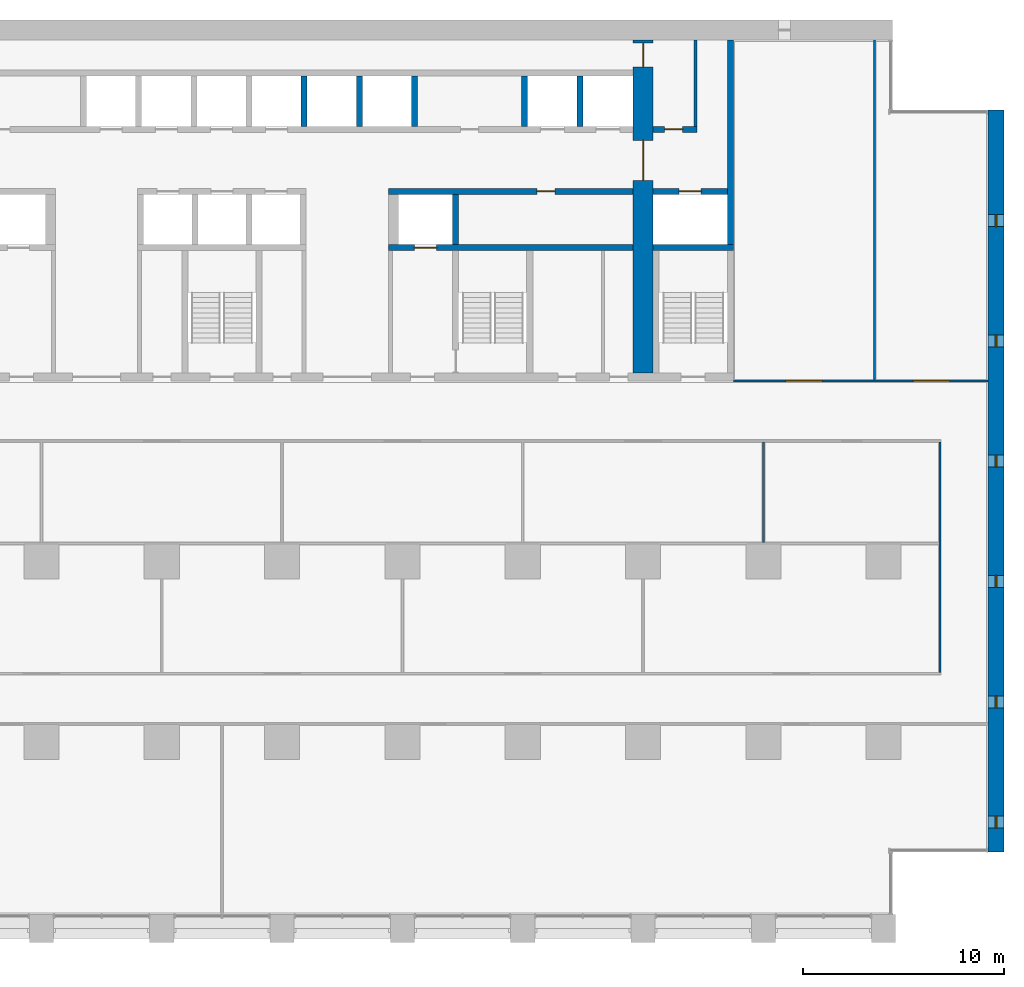
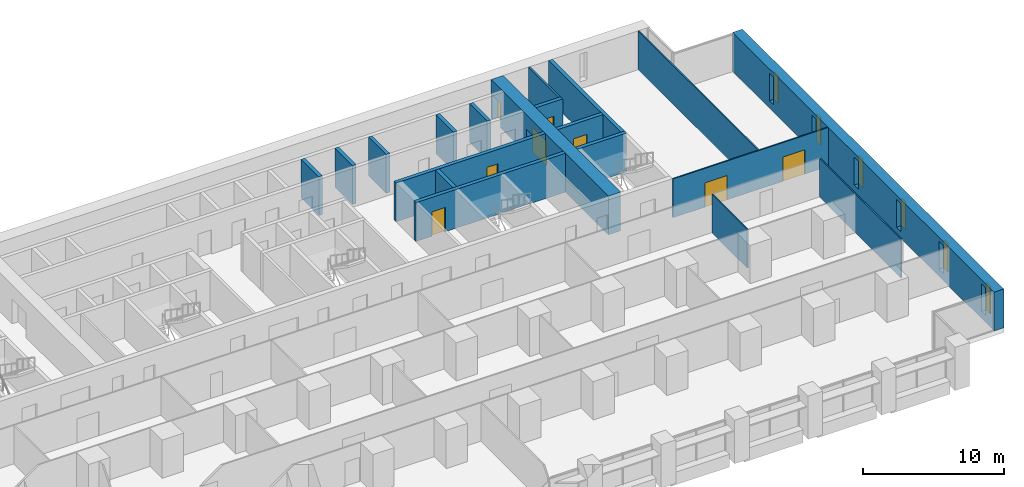
# One storey, part 13 of 18: 19 walls, 8 doors, 6 windows, 14 openings.
"""IFC4 building model written with IfcOpenShell, lengths in metres."""

import ifcopenshell
import ifcopenshell.guid

model = None  # the IFC model being written
_history = None  # IfcOwnerHistory: only IFC2X3 demands one
_inside = {}  # id of a spatial element -> (the spatial element, [elements in it])
_under = {}  # id of a project, library or spatial element -> (it, [spatial elements below it])
_declared = {}  # id of a project -> (the project, [libraries it declares])
_typed = {}  # id of a type object -> (the type object, [elements of that type])
_made_of = {}  # id of a material, layer set ... -> (it, [elements and type objects made of it])


def new_model(schema):
    """Start an empty IFC model of exactly this schema.

    Asked for "IFC4X3", IfcOpenShell would pick the latest addendum, in which some entities
    have other attributes; the version numbers below select the first issue.
    IFC2X3 requires an IfcOwnerHistory on every rooted entity: one is made here for all.
    """
    global model, _history
    if schema == "IFC4X3":
        model = ifcopenshell.file(schema_version=(4, 3, 0, 0))
    else:
        model = ifcopenshell.file(schema=schema)
    _inside.clear()
    _under.clear()
    _declared.clear()
    _typed.clear()
    _made_of.clear()
    _history = None
    if model.schema == "IFC2X3":
        org = make("IfcOrganization", Name="unknown")
        user = make(
            "IfcPersonAndOrganization",
            ThePerson=make("IfcPerson", FamilyName="unknown"),
            TheOrganization=org,
        )
        app = make(
            "IfcApplication",
            ApplicationDeveloper=org,
            Version="unknown",
            ApplicationFullName="unknown",
            ApplicationIdentifier="unknown",
        )
        _history = make(
            "IfcOwnerHistory",
            OwningUser=user,
            OwningApplication=app,
            ChangeAction="ADDED",
            CreationDate=0,
        )
    return model


def make(cls, **values):
    """One entity of the class cls with the attributes given. An attribute that is None is left unset."""
    return model.create_entity(
        cls, **{name: value for name, value in values.items() if value is not None}
    )


def rooted(cls, **values):
    """An entity with a GlobalId (a new one), such as an element, a storey or a relation."""
    return make(cls, GlobalId=ifcopenshell.guid.new(), OwnerHistory=_history, **values)


def si_unit(unit_type, name, prefix=None):
    """IfcSIUnit, for example si_unit("LENGTHUNIT", "METRE", prefix="MILLI")."""
    return make("IfcSIUnit", UnitType=unit_type, Prefix=prefix, Name=name)


def assignment(units):
    """IfcUnitAssignment: the units of a project."""
    return None if units is None else make("IfcUnitAssignment", Units=units)


def point(xyz):
    """IfcCartesianPoint."""
    return None if xyz is None else make("IfcCartesianPoint", Coordinates=xyz)


def direction(xyz):
    """IfcDirection."""
    return None if xyz is None else make("IfcDirection", DirectionRatios=xyz)


def frame(location, z_axis=None, x_axis=None):
    """IfcAxis2Placement3D, a coordinate frame: its origin and axes. An axis left out is left unset."""
    return make(
        "IfcAxis2Placement3D",
        Location=point(location),
        Axis=direction(z_axis),
        RefDirection=direction(x_axis),
    )


def frame_2d(location, x_axis=None):
    """IfcAxis2Placement2D, a coordinate frame in the plane: its origin and x axis."""
    return make(
        "IfcAxis2Placement2D", Location=point(location), RefDirection=direction(x_axis)
    )


def origin():
    """The frame at (0, 0, 0) with its axes left unset."""
    return frame((0.0, 0.0, 0.0))


def place(relative_to, where):
    """IfcLocalPlacement: puts the frame where relative to a parent placement (None: the world)."""
    return make(
        "IfcLocalPlacement", PlacementRelTo=relative_to, RelativePlacement=where
    )


def context(
    kind, dimensions, precision=None, world=None, true_north=None, identifier=None
):
    """IfcGeometricRepresentationContext, for example the 3D "Model" context."""
    return make(
        "IfcGeometricRepresentationContext",
        ContextIdentifier=identifier,
        ContextType=kind,
        CoordinateSpaceDimension=dimensions,
        Precision=precision,
        WorldCoordinateSystem=world,
        TrueNorth=true_north,
    )


def subcontext(parent, identifier, kind, view, scale=None):
    """IfcGeometricRepresentationSubContext, for example "Body" below "Model"."""
    return make(
        "IfcGeometricRepresentationSubContext",
        ContextIdentifier=identifier,
        ContextType=kind,
        ParentContext=parent,
        TargetScale=scale,
        TargetView=view,
    )


def project(units=None, contexts=None):
    """IfcProject with its units and contexts."""
    return rooted(
        "IfcProject",
        Name="project",
        RepresentationContexts=contexts,
        UnitsInContext=assignment(units),
    )


def spatial(cls, under=None, at=None, **own):
    """A site, building, storey or space (cls), placed at a placement, below another one or the project."""
    s = rooted(cls, ObjectPlacement=at, **own)
    if under is not None:
        _under.setdefault(under.id(), (under, []))[1].append(s)
    return s


def profile(cls, at=None, kind="AREA", **sizes):
    """A parametric profile (cls). Its sizes go by their IFC names, for example OverallWidth=200.0."""
    return make(cls, ProfileType=kind, Position=at, **sizes)


def rectangle(**sizes):
    """IfcRectangleProfileDef."""
    return profile("IfcRectangleProfileDef", **sizes)


def extrude(swept, where, along, depth):
    """IfcExtrudedAreaSolid: the profile swept, set in the frame where, extruded along a direction by depth."""
    return make(
        "IfcExtrudedAreaSolid",
        SweptArea=swept,
        Position=where,
        ExtrudedDirection=direction(along),
        Depth=depth,
    )


def shape(context_of_items, identifier, shape_type, items):
    """IfcShapeRepresentation: the items that make up one representation, for example the "Body"."""
    return make(
        "IfcShapeRepresentation",
        ContextOfItems=context_of_items,
        RepresentationIdentifier=identifier,
        RepresentationType=shape_type,
        Items=items,
    )


def material(Name=None, Category=None):
    """IfcMaterial."""
    return make("IfcMaterial", Name=Name, Category=Category)


def layer(
    of_material, thickness, ventilated=None, Name=None, Category=None, Priority=None
):
    """IfcMaterialLayer: one layer of a wall or slab, of a material (None: an air gap)."""
    return make(
        "IfcMaterialLayer",
        Material=of_material,
        LayerThickness=thickness,
        IsVentilated=ventilated,
        Name=Name,
        Category=Category,
        Priority=Priority,
    )


def layer_set(layers, Name=None):
    """IfcMaterialLayerSet."""
    return make("IfcMaterialLayerSet", MaterialLayers=layers, LayerSetName=Name)


def made_of(thing, what):
    """Note that an element or type object is made of a material, layer set ...; save() writes the relation."""
    if what is not None:
        _made_of.setdefault(what.id(), (what, []))[1].append(thing)
    return thing


def type_object(cls, material=None, **own):
    """A type object (cls), such as IfcWallType, which elements share."""
    return made_of(rooted(cls, **own), material)


def element(
    cls,
    number,
    at=None,
    inside=None,
    cuts=None,
    type_object=None,
    material=None,
    context=None,
    identifier="Body",
    shape_type=None,
    held_by="IfcProductDefinitionShape",
    body=None,
    shapes=None,
    **own,
):
    """One element of the class cls, such as IfcWall. Its Tag is "e" and its number.

    at: its placement. inside: the storey or other place that contains it. cuts: it is an
    opening in that element (IfcRelVoidsElement). A single representation is given by context,
    identifier, shape_type and body (its items); several are given by shapes. held_by: the class
    of the entity that holds the representations. save() writes the other relations.
    """
    e = rooted(cls, Tag="e%d" % number, ObjectPlacement=at, **own)
    if body is not None:
        shapes = [shape(context, identifier, shape_type, body)]
    if shapes is not None:
        e.Representation = make(held_by, Representations=shapes)
    if inside is not None:
        _inside.setdefault(inside.id(), (inside, []))[1].append(e)
    if cuts is not None:
        rooted(
            "IfcRelVoidsElement", RelatingBuildingElement=cuts, RelatedOpeningElement=e
        )
    if type_object is not None:
        _typed.setdefault(type_object.id(), (type_object, []))[1].append(e)
    return made_of(e, material)


def fill(opening, filler):
    """IfcRelFillsElement: the door or window that sits in an opening."""
    return rooted(
        "IfcRelFillsElement",
        RelatingOpeningElement=opening,
        RelatedBuildingElement=filler,
    )


def aggregate(whole, parts):
    """IfcRelAggregates: a whole, such as a stair, and the parts it consists of."""
    return rooted("IfcRelAggregates", RelatingObject=whole, RelatedObjects=parts)


def save(model, path):
    """Write the relations noted so far, then the file.

    IfcRelAggregates (storeys below a building ...), IfcRelContainedInSpatialStructure (elements
    in a storey), IfcRelDefinesByType, IfcRelAssociatesMaterial and IfcRelDeclares: one each for
    every whole, place, type object, material and project.
    """
    for whole, parts in _under.values():
        aggregate(whole, parts)
    for where, things in _inside.values():
        rooted(
            "IfcRelContainedInSpatialStructure",
            RelatedElements=things,
            RelatingStructure=where,
        )
    for kind, things in _typed.values():
        rooted("IfcRelDefinesByType", RelatedObjects=things, RelatingType=kind)
    for what, things in _made_of.values():
        rooted("IfcRelAssociatesMaterial", RelatedObjects=things, RelatingMaterial=what)
    for by, libraries in _declared.values():
        rooted("IfcRelDeclares", RelatingContext=by, RelatedDefinitions=libraries)
    model.write(path)


model = new_model("IFC4")

# Units and contexts
model_context = context("Model", 3, precision=1e-05, world=origin(), true_north=direction((0.0, 1.0)))
body_context = subcontext(model_context, "Body", "Model", "MODEL_VIEW")
ifc_project = project(units=[si_unit("LENGTHUNIT", "METRE"), si_unit("AREAUNIT", "SQUARE_METRE"), si_unit("VOLUMEUNIT", "CUBIC_METRE"), si_unit("PLANEANGLEUNIT", "RADIAN"), si_unit("MASSUNIT", "GRAM", prefix="KILO")], contexts=[model_context])

# Site, building, storey
site_placement = place(None, origin())
site = spatial("IfcSite", under=ifc_project, at=site_placement, CompositionType="ELEMENT")
building_placement = place(site_placement, origin())
building = spatial("IfcBuilding", under=site, at=building_placement, Name="Calvaro Tower", CompositionType="ELEMENT")
storey_placement = place(building_placement, frame((0.0, 0.0, 37.5)))
storey = spatial("IfcBuildingStorey", under=building, at=storey_placement, Name="L08", CompositionType="ELEMENT", Elevation=37.5)

# Wall
ifc_material_1 = material(Name="Blockwork partition", Category="masonry")
ifc_layer_1 = layer(ifc_material_1, 0.14990234375)
ifc_layer_set_1 = layer_set([ifc_layer_1], Name="Blockwork partition")
wall_type_1 = type_object("IfcWallType", Name="Core partition 150 REI 120", PredefinedType="PARTITIONING", material=ifc_layer_set_1)
wall_1_placement = place(storey_placement, frame((62.625, 40.699951171875, 0.0), z_axis=(0.0, 0.0, 1.0), x_axis=(0.0, 1.0, 0.0)))
element("IfcWall", 1, at=wall_1_placement, inside=storey, type_object=wall_type_1, Name="Core partition", PredefinedType="PARTITIONING", context=body_context, shape_type="SweptSolid", body=[
    extrude(rectangle(XDim=4.300048828125, YDim=0.14990234375, at=frame_2d((2.14990234375, 0.0))), origin(), (0.0, 0.0, 1.0), 3.35009765625),
])

# Wall, opening, door
ifc_material_2 = material(Name="Blockwork partition", Category="masonry")
ifc_layer_2 = layer(ifc_material_2, 0.300048828125)
ifc_layer_set_2 = layer_set([ifc_layer_2], Name="Blockwork partition")
wall_type_2 = type_object("IfcWallType", Name="Core partition 300 REI 120", PredefinedType="PARTITIONING", material=ifc_layer_set_2)
wall_2_placement = place(storey_placement, frame((60.5, 40.550048828125, 0.0), z_axis=(0.0, 0.0, 1.0), x_axis=(1.0, 0.0, 0.0)))
wall_2 = element("IfcWall", 2, at=wall_2_placement, inside=storey, type_object=wall_type_2, Name="Core partition", PredefinedType="PARTITIONING", context=body_context, shape_type="SweptSolid", body=[
    extrude(rectangle(XDim=2.199951171875, YDim=0.300048828125, at=frame_2d((1.10009765625, 0.0))), origin(), (0.0, 0.0, 1.0), 3.35009765625),
])
opening_1_placement = place(wall_2_placement, frame((0.574951171875, 0.0, 0.0)))
opening_1 = element("IfcOpeningElement", 3, at=opening_1_placement, cuts=wall_2, Name="Opening RD9E", PredefinedType="OPENING", context=body_context, shape_type="SweptSolid", body=[
    extrude(rectangle(XDim=0.89990234375, YDim=2.10009765625, at=frame_2d((0.449951171875, 1.050048828125))), frame((0.0, 0.159912109375, 0.0), z_axis=(0.0, -1.0, 0.0), x_axis=(1.0, 0.0, 0.0)), (0.0, 0.0, 1.0), 0.320068359375),
])
ifc_material_3 = material(Name="Steel door set", Category="steel")
door_type_1 = type_object("IfcDoorType", Name="Room door 900 FD60", OperationType="SINGLE_SWING_LEFT", PredefinedType="DOOR", material=ifc_material_3)
door_1_placement = place(opening_1_placement, origin())
door_1 = element("IfcDoor", 4, at=door_1_placement, inside=storey, type_object=door_type_1, Name="Room door", OperationType="SINGLE_SWING_LEFT", OverallHeight=2.10009765625, OverallWidth=0.89990234375, PredefinedType="DOOR", context=body_context, shape_type="SweptSolid", body=[
    extrude(rectangle(XDim=0.89990234375, YDim=2.10009765625, at=frame_2d((0.449951171875, 1.050048828125))), frame((0.0, 0.02490234375, 0.0), z_axis=(0.0, -1.0, 0.0), x_axis=(1.0, 0.0, 0.0)), (0.0, 0.0, 1.0), 0.050048828125),
])
fill(opening_1, door_1)

# Wall, openings, doors
ifc_material_4 = material(Name="Concrete C80/95", Category="concrete")
ifc_layer_3 = layer(ifc_material_4, 1.0)
ifc_layer_set_3 = layer_set([ifc_layer_3], Name="Concrete C80/95")
wall_type_3 = type_object("IfcWallType", Name="Core wall C80/95 1000", PredefinedType="SHEAR", material=ifc_layer_set_3)
wall_3_placement = place(storey_placement, frame((60.0, 28.39990234375, 0.0), z_axis=(0.0, 0.0, 1.0), x_axis=(0.0, 1.0, 0.0)))
wall_3 = element("IfcWall", 5, at=wall_3_placement, inside=storey, type_object=wall_type_3, Name="Core wall, cross shear wall", PredefinedType="SHEAR", context=body_context, shape_type="SweptSolid", body=[
    extrude(rectangle(XDim=16.60009765625, YDim=1.0, at=frame_2d((8.300048828125, 0.0))), origin(), (0.0, 0.0, 1.0), 3.35009765625),
])
opening_2_placement = place(wall_3_placement, frame((9.60009765625, 0.0, 0.0)))
opening_2 = element("IfcOpeningElement", 6, at=opening_2_placement, cuts=wall_3, Name="Opening DD20D", PredefinedType="OPENING", context=body_context, shape_type="SweptSolid", body=[
    extrude(rectangle(XDim=2.0, YDim=2.10009765625, at=frame_2d((1.0, 1.050048828125))), frame((0.0, 0.510009765625, 0.0), z_axis=(0.0, -1.0, 0.0), x_axis=(1.0, 0.0, 0.0)), (0.0, 0.0, 1.0), 1.02001953125),
])
opening_3_placement = place(wall_3_placement, frame((15.25, 0.0, 0.0)))
opening_3 = element("IfcOpeningElement", 7, at=opening_3_placement, cuts=wall_3, Name="Opening FD12C", PredefinedType="OPENING", context=body_context, shape_type="SweptSolid", body=[
    extrude(rectangle(XDim=1.199951171875, YDim=2.10009765625, at=frame_2d((0.60009765625, 1.050048828125))), frame((0.0, 0.510009765625, 0.0), z_axis=(0.0, -1.0, 0.0), x_axis=(1.0, 0.0, 0.0)), (0.0, 0.0, 1.0), 1.02001953125),
])
ifc_material_5 = material(Name="Steel door set", Category="steel")
door_type_2 = type_object("IfcDoorType", Name="Fire door 1200 FD30", OperationType="SINGLE_SWING_LEFT", PredefinedType="DOOR", material=ifc_material_5)
door_2_placement = place(opening_3_placement, origin())
door_2 = element("IfcDoor", 8, at=door_2_placement, inside=storey, type_object=door_type_2, Name="Fire door", OperationType="SINGLE_SWING_LEFT", OverallHeight=2.10009765625, OverallWidth=1.199951171875, PredefinedType="DOOR", context=body_context, shape_type="SweptSolid", body=[
    extrude(rectangle(XDim=1.199951171875, YDim=2.10009765625, at=frame_2d((0.60009765625, 1.050048828125))), frame((0.0, 0.02490234375, 0.0), z_axis=(0.0, -1.0, 0.0), x_axis=(1.0, 0.0, 0.0)), (0.0, 0.0, 1.0), 0.050048828125),
])
fill(opening_3, door_2)
ifc_material_6 = material(Name="Steel door set", Category="steel")
door_type_3 = type_object("IfcDoorType", Name="Lobby double door 2000 FD30S", OperationType="DOUBLE_DOOR_SINGLE_SWING", PredefinedType="DOOR", material=ifc_material_6)
door_3_placement = place(opening_2_placement, origin())
door_3 = element("IfcDoor", 9, at=door_3_placement, inside=storey, type_object=door_type_3, Name="Lobby double door", OperationType="DOUBLE_DOOR_SINGLE_SWING", OverallHeight=2.10009765625, OverallWidth=2.0, PredefinedType="DOOR", context=body_context, shape_type="SweptSolid", body=[
    extrude(rectangle(XDim=2.0, YDim=2.10009765625, at=frame_2d((1.0, 1.050048828125))), frame((0.0, 0.02490234375, 0.0), z_axis=(0.0, -1.0, 0.0), x_axis=(1.0, 0.0, 0.0)), (0.0, 0.0, 1.0), 0.050048828125),
])
fill(opening_2, door_3)

# Wall
ifc_material_7 = material(Name="Concrete C80/95", Category="concrete")
ifc_layer_4 = layer(ifc_material_7, 0.300048828125)
ifc_layer_set_4 = layer_set([ifc_layer_4], Name="Concrete C80/95")
wall_type_4 = type_object("IfcWallType", Name="Core wall C80/95 300", PredefinedType="SHEAR", material=ifc_layer_set_4)
wall_4_placement = place(storey_placement, frame((64.35009765625, 34.800048828125, 0.0), z_axis=(0.0, 0.0, 1.0), x_axis=(0.0, 1.0, 0.0)))
element("IfcWall", 10, at=wall_4_placement, inside=storey, type_object=wall_type_4, Name="Core wall, boundary", PredefinedType="SHEAR", context=body_context, shape_type="SweptSolid", body=[
    extrude(rectangle(XDim=10.199951171875, YDim=0.300048828125, at=frame_2d((5.10009765625, 0.0))), origin(), (0.0, 0.0, 1.0), 3.35009765625),
])

# Wall, opening, door
wall_5_placement = place(storey_placement, frame((47.300048828125, 34.64990234375, 0.0), z_axis=(0.0, 0.0, 1.0), x_axis=(1.0, 0.0, 0.0)))
wall_5 = element("IfcWall", 11, at=wall_5_placement, inside=storey, type_object=wall_type_4, Name="Core wall, lift shaft", PredefinedType="SHEAR", context=body_context, shape_type="SweptSolid", body=[
    extrude(rectangle(XDim=12.199951171875, YDim=0.300048828125, at=frame_2d((6.10009765625, 0.0))), origin(), (0.0, 0.0, 1.0), 3.35009765625),
])
opening_4_placement = place(wall_5_placement, frame((1.300048828125, 0.0, 0.0)))
opening_4 = element("IfcOpeningElement", 12, at=opening_4_placement, cuts=wall_5, Name="Opening FF2", PredefinedType="OPENING", context=body_context, shape_type="SweptSolid", body=[
    extrude(rectangle(XDim=1.10009765625, YDim=2.10009765625, at=frame_2d((0.550048828125, 1.050048828125))), frame((0.0, 0.159912109375, 0.0), z_axis=(0.0, -1.0, 0.0), x_axis=(1.0, 0.0, 0.0)), (0.0, 0.0, 1.0), 0.320068359375),
])
ifc_material_8 = material(Name="Stainless steel", Category="steel")
door_type_4 = type_object("IfcDoorType", Name="Landing door 1100 E 60", OperationType="SLIDING_TO_LEFT", PredefinedType="DOOR", material=ifc_material_8)
door_4_placement = place(opening_4_placement, origin())
door_4 = element("IfcDoor", 13, at=door_4_placement, inside=storey, type_object=door_type_4, Name="Landing door FF2", OperationType="SLIDING_TO_LEFT", OverallHeight=2.10009765625, OverallWidth=1.10009765625, PredefinedType="DOOR", context=body_context, shape_type="SweptSolid", body=[
    extrude(rectangle(XDim=1.10009765625, YDim=2.10009765625, at=frame_2d((0.550048828125, 1.050048828125))), frame((0.0, 0.02490234375, 0.0), z_axis=(0.0, -1.0, 0.0), x_axis=(1.0, 0.0, 0.0)), (0.0, 0.0, 1.0), 0.050048828125),
])
fill(opening_4, door_4)

# Wall
wall_6_placement = place(storey_placement, frame((60.5, 34.64990234375, 0.0), z_axis=(0.0, 0.0, 1.0), x_axis=(1.0, 0.0, 0.0)))
element("IfcWall", 14, at=wall_6_placement, inside=storey, type_object=wall_type_4, Name="Core wall, lift shaft", PredefinedType="SHEAR", context=body_context, shape_type="SweptSolid", body=[
    extrude(rectangle(XDim=4.0, YDim=0.300048828125, at=frame_2d((2.0, 0.0))), origin(), (0.0, 0.0, 1.0), 3.35009765625),
])

# Wall, opening, door
wall_7_placement = place(storey_placement, frame((59.5, 37.449951171875, 0.0), z_axis=(0.0, 0.0, 1.0), x_axis=(-1.0, 0.0, 0.0)))
wall_7 = element("IfcWall", 15, at=wall_7_placement, inside=storey, type_object=wall_type_4, Name="Core wall, bay", PredefinedType="SHEAR", context=body_context, shape_type="SweptSolid", body=[
    extrude(rectangle(XDim=12.199951171875, YDim=0.300048828125, at=frame_2d((6.10009765625, 0.0))), origin(), (0.0, 0.0, 1.0), 3.35009765625),
])
opening_5_placement = place(wall_7_placement, frame((3.89990234375, 0.0, 0.0)))
opening_5 = element("IfcOpeningElement", 16, at=opening_5_placement, cuts=wall_7, Name="Opening RD9C", PredefinedType="OPENING", context=body_context, shape_type="SweptSolid", body=[
    extrude(rectangle(XDim=0.89990234375, YDim=2.10009765625, at=frame_2d((0.449951171875, 1.050048828125))), frame((0.0, 0.159912109375, 0.0), z_axis=(0.0, -1.0, 0.0), x_axis=(1.0, 0.0, 0.0)), (0.0, 0.0, 1.0), 0.320068359375),
])
ifc_material_9 = material(Name="Steel door set", Category="steel")
door_type_5 = type_object("IfcDoorType", Name="Room door 900 FD30", OperationType="SINGLE_SWING_LEFT", PredefinedType="DOOR", material=ifc_material_9)
door_5_placement = place(opening_5_placement, origin())
door_5 = element("IfcDoor", 17, at=door_5_placement, inside=storey, type_object=door_type_5, Name="Room door", OperationType="SINGLE_SWING_RIGHT", OverallHeight=2.10009765625, OverallWidth=0.89990234375, PredefinedType="DOOR", context=body_context, shape_type="SweptSolid", body=[
    extrude(rectangle(XDim=0.89990234375, YDim=2.10009765625, at=frame_2d((0.449951171875, 1.050048828125))), frame((0.0, 0.02490234375, 0.0), z_axis=(0.0, -1.0, 0.0), x_axis=(1.0, 0.0, 0.0)), (0.0, 0.0, 1.0), 0.050048828125),
])
fill(opening_5, door_5)

wall_8_placement = place(storey_placement, frame((60.5, 37.449951171875, 0.0), z_axis=(0.0, 0.0, 1.0), x_axis=(1.0, 0.0, 0.0)))
wall_8 = element("IfcWall", 18, at=wall_8_placement, inside=storey, type_object=wall_type_4, Name="Core wall, lift shaft", PredefinedType="SHEAR", context=body_context, shape_type="SweptSolid", body=[
    extrude(rectangle(XDim=3.699951171875, YDim=0.300048828125, at=frame_2d((1.85009765625, 0.0))), origin(), (0.0, 0.0, 1.0), 3.35009765625),
])
opening_6_placement = place(wall_8_placement, frame((1.300048828125, 0.0, 0.0)))
opening_6 = element("IfcOpeningElement", 19, at=opening_6_placement, cuts=wall_8, Name="Opening FF3", PredefinedType="OPENING", context=body_context, shape_type="SweptSolid", body=[
    extrude(rectangle(XDim=1.10009765625, YDim=2.10009765625, at=frame_2d((0.550048828125, 1.050048828125))), frame((0.0, 0.159912109375, 0.0), z_axis=(0.0, -1.0, 0.0), x_axis=(1.0, 0.0, 0.0)), (0.0, 0.0, 1.0), 0.320068359375),
])
door_6_placement = place(opening_6_placement, origin())
door_6 = element("IfcDoor", 20, at=door_6_placement, inside=storey, type_object=door_type_4, Name="Landing door FF3", OperationType="SLIDING_TO_LEFT", OverallHeight=2.10009765625, OverallWidth=1.10009765625, PredefinedType="DOOR", context=body_context, shape_type="SweptSolid", body=[
    extrude(rectangle(XDim=1.10009765625, YDim=2.10009765625, at=frame_2d((0.550048828125, 1.050048828125))), frame((0.0, 0.02490234375, 0.0), z_axis=(0.0, -1.0, 0.0), x_axis=(1.0, 0.0, 0.0)), (0.0, 0.0, 1.0), 0.050048828125),
])
fill(opening_6, door_6)

# Walls
for number, where, z_axis, x_axis, name in (
    (21, (50.64990234375, 34.800048828125, 0.0), (0.0, 0.0, 1.0), (0.0, 1.0, 0.0), "Core wall, lift shaft"),
    (22, (43.10009765625, 40.699951171875, 0.0), (0.0, 0.0, 1.0), (0.0, 1.0, 0.0), "Core wall, lift shaft"),
    (23, (45.85009765625, 40.699951171875, 0.0), (0.0, 0.0, 1.0), (0.0, 1.0, 0.0), "Core wall, lift shaft"),
    (24, (48.60009765625, 40.699951171875, 0.0), (0.0, 0.0, 1.0), (0.0, 1.0, 0.0), "Core wall, lift shaft"),
    (25, (54.10009765625, 40.699951171875, 0.0), (0.0, 0.0, 1.0), (0.0, 1.0, 0.0), "Core wall, lift shaft"),
    (26, (56.85009765625, 40.699951171875, 0.0), (0.0, 0.0, 1.0), (0.0, 1.0, 0.0), "Core wall, lift shaft"),
):
    element("IfcWall", number, at=place(storey_placement, frame(where, z_axis=z_axis, x_axis=x_axis)), inside=storey, type_object=wall_type_4, Name=name, PredefinedType="SHEAR", context=body_context, shape_type="SweptSolid", body=[
        extrude(rectangle(XDim=2.5, YDim=0.300048828125, at=frame_2d((1.25, 0.0))), origin(), (0.0, 0.0, 1.0), 3.35009765625),
    ])

# Wall, openings, windows
ifc_material_10 = material(Name="Concrete C80/95", Category="concrete")
ifc_layer_5 = layer(ifc_material_10, 0.800048828125)
ifc_layer_set_5 = layer_set([ifc_layer_5], Name="Concrete C80/95")
wall_type_5 = type_object("IfcWallType", Name="End wall 800 C80/95", PredefinedType="SHEAR", material=ifc_layer_set_5)
wall_9_placement = place(storey_placement, frame((77.60009765625, 4.5, 0.0), z_axis=(0.0, 0.0, 1.0), x_axis=(0.0, 1.0, 0.0)))
wall_9 = element("IfcWall", 27, at=wall_9_placement, inside=storey, type_object=wall_type_5, Name="End shear wall", PredefinedType="SHEAR", context=body_context, shape_type="SweptSolid", body=[
    extrude(rectangle(XDim=37.0, YDim=0.800048828125, at=frame_2d((18.5, 0.0))), origin(), (0.0, 0.0, 1.0), 3.35009765625),
])
opening_7_placement = place(wall_9_placement, frame((1.199951171875, 0.0, 0.60009765625)))
opening_7 = element("IfcOpeningElement", 28, at=opening_7_placement, cuts=wall_9, Name="Opening WE01", PredefinedType="OPENING", context=body_context, shape_type="SweptSolid", body=[
    extrude(rectangle(XDim=0.60009765625, YDim=2.39990234375, at=frame_2d((0.300048828125, 1.199951171875))), frame((0.0, 0.409912109375, 0.0), z_axis=(0.0, -1.0, 0.0), x_axis=(1.0, 0.0, 0.0)), (0.0, 0.0, 1.0), 0.820068359375),
])
opening_8_placement = place(wall_9_placement, frame((7.199951171875, 0.0, 0.60009765625)))
opening_8 = element("IfcOpeningElement", 29, at=opening_8_placement, cuts=wall_9, Name="Opening WE02", PredefinedType="OPENING", context=body_context, shape_type="SweptSolid", body=[
    extrude(rectangle(XDim=0.60009765625, YDim=2.39990234375, at=frame_2d((0.300048828125, 1.199951171875))), frame((0.0, 0.409912109375, 0.0), z_axis=(0.0, -1.0, 0.0), x_axis=(1.0, 0.0, 0.0)), (0.0, 0.0, 1.0), 0.820068359375),
])
opening_9_placement = place(wall_9_placement, frame((13.199951171875, 0.0, 0.60009765625)))
opening_9 = element("IfcOpeningElement", 30, at=opening_9_placement, cuts=wall_9, Name="Opening WE03", PredefinedType="OPENING", context=body_context, shape_type="SweptSolid", body=[
    extrude(rectangle(XDim=0.60009765625, YDim=2.39990234375, at=frame_2d((0.300048828125, 1.199951171875))), frame((0.0, 0.409912109375, 0.0), z_axis=(0.0, -1.0, 0.0), x_axis=(1.0, 0.0, 0.0)), (0.0, 0.0, 1.0), 0.820068359375),
])
opening_10_placement = place(wall_9_placement, frame((19.199951171875, 0.0, 0.60009765625)))
opening_10 = element("IfcOpeningElement", 31, at=opening_10_placement, cuts=wall_9, Name="Opening WE04", PredefinedType="OPENING", context=body_context, shape_type="SweptSolid", body=[
    extrude(rectangle(XDim=0.60009765625, YDim=2.39990234375, at=frame_2d((0.300048828125, 1.199951171875))), frame((0.0, 0.409912109375, 0.0), z_axis=(0.0, -1.0, 0.0), x_axis=(1.0, 0.0, 0.0)), (0.0, 0.0, 1.0), 0.820068359375),
])
opening_11_placement = place(wall_9_placement, frame((25.199951171875, 0.0, 0.60009765625)))
opening_11 = element("IfcOpeningElement", 32, at=opening_11_placement, cuts=wall_9, Name="Opening WE05", PredefinedType="OPENING", context=body_context, shape_type="SweptSolid", body=[
    extrude(rectangle(XDim=0.60009765625, YDim=2.39990234375, at=frame_2d((0.300048828125, 1.199951171875))), frame((0.0, 0.409912109375, 0.0), z_axis=(0.0, -1.0, 0.0), x_axis=(1.0, 0.0, 0.0)), (0.0, 0.0, 1.0), 0.820068359375),
])
opening_12_placement = place(wall_9_placement, frame((31.199951171875, 0.0, 0.60009765625)))
opening_12 = element("IfcOpeningElement", 33, at=opening_12_placement, cuts=wall_9, Name="Opening WE06", PredefinedType="OPENING", context=body_context, shape_type="SweptSolid", body=[
    extrude(rectangle(XDim=0.60009765625, YDim=2.39990234375, at=frame_2d((0.300048828125, 1.199951171875))), frame((0.0, 0.409912109375, 0.0), z_axis=(0.0, -1.0, 0.0), x_axis=(1.0, 0.0, 0.0)), (0.0, 0.0, 1.0), 0.820068359375),
])
ifc_material_11 = material(Name="Glass", Category="glass")
window_type = type_object("IfcWindowType", Name="Slit window 600 x 2400", PartitioningType="SINGLE_PANEL", PredefinedType="WINDOW", material=ifc_material_11)
window_1_placement = place(opening_7_placement, origin())
window_1 = element("IfcWindow", 34, at=window_1_placement, inside=storey, type_object=window_type, Name="Window WE01", OverallHeight=2.39990234375, OverallWidth=0.60009765625, PartitioningType="SINGLE_PANEL", PredefinedType="WINDOW", context=body_context, shape_type="SweptSolid", body=[
    extrude(rectangle(XDim=0.60009765625, YDim=2.39990234375, at=frame_2d((0.300048828125, 1.199951171875))), frame((0.0, 0.030029296875, 0.0), z_axis=(0.0, -1.0, 0.0), x_axis=(1.0, 0.0, 0.0)), (0.0, 0.0, 1.0), 0.06005859375),
])
fill(opening_7, window_1)
window_2_placement = place(opening_8_placement, origin())
window_2 = element("IfcWindow", 35, at=window_2_placement, inside=storey, type_object=window_type, Name="Window WE02", OverallHeight=2.39990234375, OverallWidth=0.60009765625, PartitioningType="SINGLE_PANEL", PredefinedType="WINDOW", context=body_context, shape_type="SweptSolid", body=[
    extrude(rectangle(XDim=0.60009765625, YDim=2.39990234375, at=frame_2d((0.300048828125, 1.199951171875))), frame((0.0, 0.030029296875, 0.0), z_axis=(0.0, -1.0, 0.0), x_axis=(1.0, 0.0, 0.0)), (0.0, 0.0, 1.0), 0.06005859375),
])
fill(opening_8, window_2)
window_3_placement = place(opening_9_placement, origin())
window_3 = element("IfcWindow", 36, at=window_3_placement, inside=storey, type_object=window_type, Name="Window WE03", OverallHeight=2.39990234375, OverallWidth=0.60009765625, PartitioningType="SINGLE_PANEL", PredefinedType="WINDOW", context=body_context, shape_type="SweptSolid", body=[
    extrude(rectangle(XDim=0.60009765625, YDim=2.39990234375, at=frame_2d((0.300048828125, 1.199951171875))), frame((0.0, 0.030029296875, 0.0), z_axis=(0.0, -1.0, 0.0), x_axis=(1.0, 0.0, 0.0)), (0.0, 0.0, 1.0), 0.06005859375),
])
fill(opening_9, window_3)
window_4_placement = place(opening_10_placement, origin())
window_4 = element("IfcWindow", 37, at=window_4_placement, inside=storey, type_object=window_type, Name="Window WE04", OverallHeight=2.39990234375, OverallWidth=0.60009765625, PartitioningType="SINGLE_PANEL", PredefinedType="WINDOW", context=body_context, shape_type="SweptSolid", body=[
    extrude(rectangle(XDim=0.60009765625, YDim=2.39990234375, at=frame_2d((0.300048828125, 1.199951171875))), frame((0.0, 0.030029296875, 0.0), z_axis=(0.0, -1.0, 0.0), x_axis=(1.0, 0.0, 0.0)), (0.0, 0.0, 1.0), 0.06005859375),
])
fill(opening_10, window_4)
window_5_placement = place(opening_11_placement, origin())
window_5 = element("IfcWindow", 38, at=window_5_placement, inside=storey, type_object=window_type, Name="Window WE05", OverallHeight=2.39990234375, OverallWidth=0.60009765625, PartitioningType="SINGLE_PANEL", PredefinedType="WINDOW", context=body_context, shape_type="SweptSolid", body=[
    extrude(rectangle(XDim=0.60009765625, YDim=2.39990234375, at=frame_2d((0.300048828125, 1.199951171875))), frame((0.0, 0.030029296875, 0.0), z_axis=(0.0, -1.0, 0.0), x_axis=(1.0, 0.0, 0.0)), (0.0, 0.0, 1.0), 0.06005859375),
])
fill(opening_11, window_5)
window_6_placement = place(opening_12_placement, origin())
window_6 = element("IfcWindow", 39, at=window_6_placement, inside=storey, type_object=window_type, Name="Window WE06", OverallHeight=2.39990234375, OverallWidth=0.60009765625, PartitioningType="SINGLE_PANEL", PredefinedType="WINDOW", context=body_context, shape_type="SweptSolid", body=[
    extrude(rectangle(XDim=0.60009765625, YDim=2.39990234375, at=frame_2d((0.300048828125, 1.199951171875))), frame((0.0, 0.030029296875, 0.0), z_axis=(0.0, -1.0, 0.0), x_axis=(1.0, 0.0, 0.0)), (0.0, 0.0, 1.0), 0.06005859375),
])
fill(opening_12, window_6)

# Wall, openings, doors
ifc_material_12 = material(Name="Plasterboard on steel studs", Category="steel")
ifc_layer_6 = layer(ifc_material_12, 0.10009765625)
ifc_layer_set_6 = layer_set([ifc_layer_6], Name="Plasterboard on steel studs")
wall_type_6 = type_object("IfcWallType", Name="Partition 100", PredefinedType="PARTITIONING", material=ifc_layer_set_6)
wall_10_placement = place(storey_placement, frame((64.5, 28.0, 0.0), z_axis=(0.0, 0.0, 1.0), x_axis=(1.0, 0.0, 0.0)))
wall_10 = element("IfcWall", 40, at=wall_10_placement, inside=storey, type_object=wall_type_6, Name="Partition T09.W006", PredefinedType="PARTITIONING", context=body_context, shape_type="SweptSolid", body=[
    extrude(rectangle(XDim=12.699951171875, YDim=0.10009765625, at=frame_2d((6.35009765625, 0.0))), origin(), (0.0, 0.0, 1.0), 3.35009765625),
])
opening_13_placement = place(wall_10_placement, frame((8.97509765625, 0.0, 0.0)))
opening_13 = element("IfcOpeningElement", 41, at=opening_13_placement, cuts=wall_10, Name="Opening T09.018", PredefinedType="OPENING", context=body_context, shape_type="SweptSolid", body=[
    extrude(rectangle(XDim=1.800048828125, YDim=2.10009765625, at=frame_2d((0.89990234375, 1.050048828125))), frame((0.0, 0.06005859375, 0.0), z_axis=(0.0, -1.0, 0.0), x_axis=(1.0, 0.0, 0.0)), (0.0, 0.0, 1.0), 0.1201171875),
])
opening_14_placement = place(wall_10_placement, frame((2.625, 0.0, 0.0)))
opening_14 = element("IfcOpeningElement", 42, at=opening_14_placement, cuts=wall_10, Name="Opening T09.020", PredefinedType="OPENING", context=body_context, shape_type="SweptSolid", body=[
    extrude(rectangle(XDim=1.800048828125, YDim=2.10009765625, at=frame_2d((0.89990234375, 1.050048828125))), frame((0.0, 0.06005859375, 0.0), z_axis=(0.0, -1.0, 0.0), x_axis=(1.0, 0.0, 0.0)), (0.0, 0.0, 1.0), 0.1201171875),
])
ifc_material_13 = material(Name="Timber", Category="wood")
door_type_6 = type_object("IfcDoorType", Name="Internal double door 1800 x 2100", OperationType="DOUBLE_DOOR_SINGLE_SWING", PredefinedType="DOOR", material=ifc_material_13)
door_7_placement = place(opening_13_placement, origin())
door_7 = element("IfcDoor", 43, at=door_7_placement, inside=storey, type_object=door_type_6, Name="Door T09.018", OperationType="DOUBLE_DOOR_SINGLE_SWING", OverallHeight=2.10009765625, OverallWidth=1.800048828125, PredefinedType="DOOR", context=body_context, shape_type="SweptSolid", body=[
    extrude(rectangle(XDim=1.800048828125, YDim=2.10009765625, at=frame_2d((0.89990234375, 1.050048828125))), frame((0.0, 0.02490234375, 0.0), z_axis=(0.0, -1.0, 0.0), x_axis=(1.0, 0.0, 0.0)), (0.0, 0.0, 1.0), 0.050048828125),
])
fill(opening_13, door_7)
door_8_placement = place(opening_14_placement, origin())
door_8 = element("IfcDoor", 44, at=door_8_placement, inside=storey, type_object=door_type_6, Name="Door T09.020", OperationType="DOUBLE_DOOR_SINGLE_SWING", OverallHeight=2.10009765625, OverallWidth=1.800048828125, PredefinedType="DOOR", context=body_context, shape_type="SweptSolid", body=[
    extrude(rectangle(XDim=1.800048828125, YDim=2.10009765625, at=frame_2d((0.89990234375, 1.050048828125))), frame((0.0, 0.02490234375, 0.0), z_axis=(0.0, -1.0, 0.0), x_axis=(1.0, 0.0, 0.0)), (0.0, 0.0, 1.0), 0.050048828125),
])
fill(opening_14, door_8)

# Walls
wall_11_placement = place(storey_placement, frame((66.0, 19.949951171875, 0.0), z_axis=(0.0, 0.0, 1.0), x_axis=(0.0, 1.0, 0.0)))
element("IfcWall", 45, at=wall_11_placement, inside=storey, type_object=wall_type_6, Name="Partition T09.W019", PredefinedType="PARTITIONING", context=body_context, shape_type="SweptSolid", body=[
    extrude(rectangle(XDim=5.0, YDim=0.10009765625, at=frame_2d((2.5, 0.0))), origin(), (0.0, 0.0, 1.0), 3.35009765625),
])
wall_12_placement = place(storey_placement, frame((71.550048828125, 28.050048828125, 0.0), z_axis=(0.0, 0.0, 1.0), x_axis=(0.0, 1.0, 0.0)))
element("IfcWall", 46, at=wall_12_placement, inside=storey, type_object=wall_type_6, Name="Partition T09.W020", PredefinedType="PARTITIONING", context=body_context, shape_type="SweptSolid", body=[
    extrude(rectangle(XDim=16.949951171875, YDim=0.10009765625, at=frame_2d((8.47509765625, 0.0))), origin(), (0.0, 0.0, 1.0), 3.35009765625),
])
wall_13_placement = place(storey_placement, frame((74.800048828125, 13.449951171875, 0.0), z_axis=(0.0, 0.0, 1.0), x_axis=(0.0, 1.0, 0.0)))
element("IfcWall", 47, at=wall_13_placement, inside=storey, type_object=wall_type_6, Name="Partition T09.W021", PredefinedType="PARTITIONING", context=body_context, shape_type="SweptSolid", body=[
    extrude(rectangle(XDim=11.5, YDim=0.10009765625, at=frame_2d((5.75, 0.0))), origin(), (0.0, 0.0, 1.0), 3.35009765625),
])

save(model, "model.ifc")
